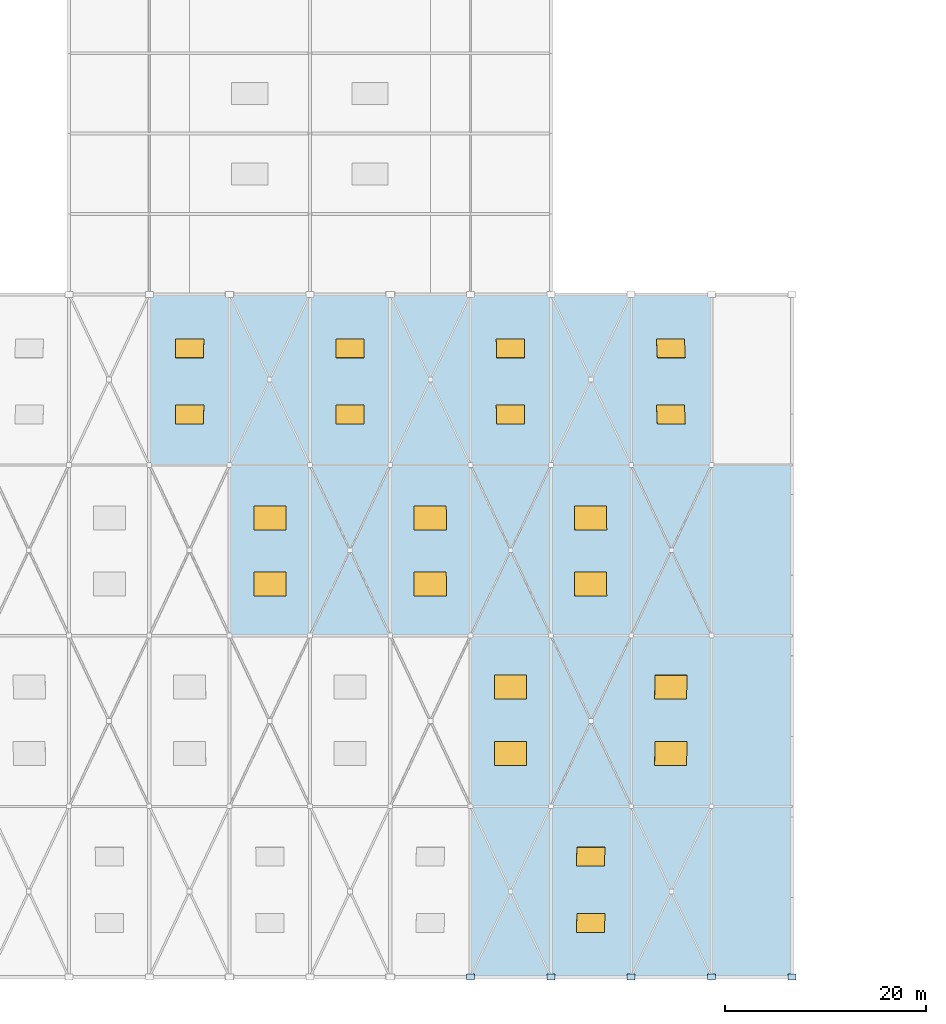
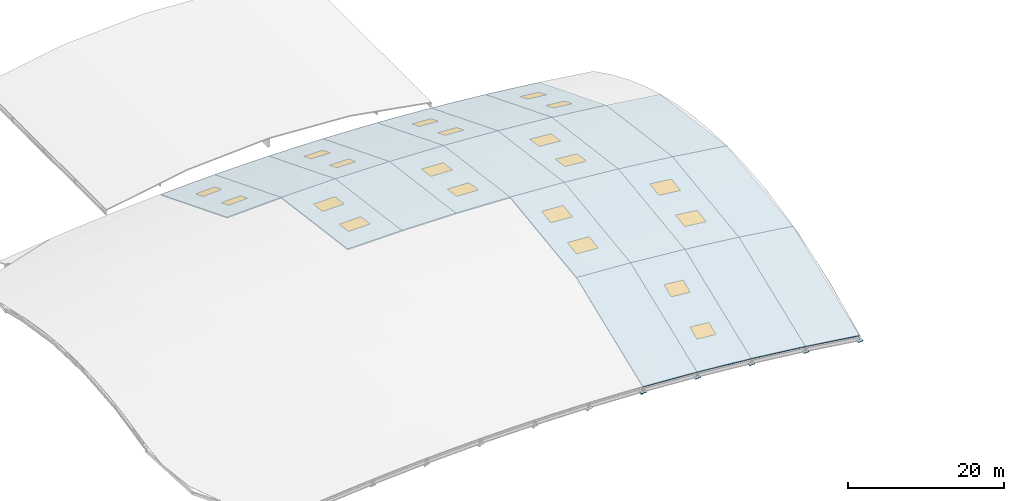
# One storey, part 6 of 11: 22 slabs, 20 windows, 5 plates, 20 openings.
"""IFC4 building model written with IfcOpenShell, lengths in metres."""

import ifcopenshell
import ifcopenshell.guid

model = None  # the IFC model being written
_history = None  # IfcOwnerHistory: only IFC2X3 demands one
_inside = {}  # id of a spatial element -> (the spatial element, [elements in it])
_under = {}  # id of a project, library or spatial element -> (it, [spatial elements below it])
_declared = {}  # id of a project -> (the project, [libraries it declares])
_typed = {}  # id of a type object -> (the type object, [elements of that type])
_made_of = {}  # id of a material, layer set ... -> (it, [elements and type objects made of it])


def new_model(schema):
    """Start an empty IFC model of exactly this schema.

    Asked for "IFC4X3", IfcOpenShell would pick the latest addendum, in which some entities
    have other attributes; the version numbers below select the first issue.
    IFC2X3 requires an IfcOwnerHistory on every rooted entity: one is made here for all.
    """
    global model, _history
    if schema == "IFC4X3":
        model = ifcopenshell.file(schema_version=(4, 3, 0, 0))
    else:
        model = ifcopenshell.file(schema=schema)
    _inside.clear()
    _under.clear()
    _declared.clear()
    _typed.clear()
    _made_of.clear()
    _history = None
    if model.schema == "IFC2X3":
        org = make("IfcOrganization", Name="unknown")
        user = make(
            "IfcPersonAndOrganization",
            ThePerson=make("IfcPerson", FamilyName="unknown"),
            TheOrganization=org,
        )
        app = make(
            "IfcApplication",
            ApplicationDeveloper=org,
            Version="unknown",
            ApplicationFullName="unknown",
            ApplicationIdentifier="unknown",
        )
        _history = make(
            "IfcOwnerHistory",
            OwningUser=user,
            OwningApplication=app,
            ChangeAction="ADDED",
            CreationDate=0,
        )
    return model


def make(cls, **values):
    """One entity of the class cls with the attributes given. An attribute that is None is left unset."""
    return model.create_entity(
        cls, **{name: value for name, value in values.items() if value is not None}
    )


def rooted(cls, **values):
    """An entity with a GlobalId (a new one), such as an element, a storey or a relation."""
    return make(cls, GlobalId=ifcopenshell.guid.new(), OwnerHistory=_history, **values)


def si_unit(unit_type, name, prefix=None):
    """IfcSIUnit, for example si_unit("LENGTHUNIT", "METRE", prefix="MILLI")."""
    return make("IfcSIUnit", UnitType=unit_type, Prefix=prefix, Name=name)


def assignment(units):
    """IfcUnitAssignment: the units of a project."""
    return None if units is None else make("IfcUnitAssignment", Units=units)


def point(xyz):
    """IfcCartesianPoint."""
    return None if xyz is None else make("IfcCartesianPoint", Coordinates=xyz)


def direction(xyz):
    """IfcDirection."""
    return None if xyz is None else make("IfcDirection", DirectionRatios=xyz)


def frame(location, z_axis=None, x_axis=None):
    """IfcAxis2Placement3D, a coordinate frame: its origin and axes. An axis left out is left unset."""
    return make(
        "IfcAxis2Placement3D",
        Location=point(location),
        Axis=direction(z_axis),
        RefDirection=direction(x_axis),
    )


def frame_2d(location, x_axis=None):
    """IfcAxis2Placement2D, a coordinate frame in the plane: its origin and x axis."""
    return make(
        "IfcAxis2Placement2D", Location=point(location), RefDirection=direction(x_axis)
    )


def origin():
    """The frame at (0, 0, 0) with its axes left unset."""
    return frame((0.0, 0.0, 0.0))


def origin_2d():
    """The frame at (0, 0) in the plane with its x axis left unset."""
    return frame_2d((0.0, 0.0))


def place(relative_to, where):
    """IfcLocalPlacement: puts the frame where relative to a parent placement (None: the world)."""
    return make(
        "IfcLocalPlacement", PlacementRelTo=relative_to, RelativePlacement=where
    )


def context(
    kind, dimensions, precision=None, world=None, true_north=None, identifier=None
):
    """IfcGeometricRepresentationContext, for example the 3D "Model" context."""
    return make(
        "IfcGeometricRepresentationContext",
        ContextIdentifier=identifier,
        ContextType=kind,
        CoordinateSpaceDimension=dimensions,
        Precision=precision,
        WorldCoordinateSystem=world,
        TrueNorth=true_north,
    )


def subcontext(parent, identifier, kind, view, scale=None):
    """IfcGeometricRepresentationSubContext, for example "Body" below "Model"."""
    return make(
        "IfcGeometricRepresentationSubContext",
        ContextIdentifier=identifier,
        ContextType=kind,
        ParentContext=parent,
        TargetScale=scale,
        TargetView=view,
    )


def project(units=None, contexts=None):
    """IfcProject with its units and contexts."""
    return rooted(
        "IfcProject",
        Name="project",
        RepresentationContexts=contexts,
        UnitsInContext=assignment(units),
    )


def spatial(cls, under=None, at=None, **own):
    """A site, building, storey or space (cls), placed at a placement, below another one or the project."""
    s = rooted(cls, ObjectPlacement=at, **own)
    if under is not None:
        _under.setdefault(under.id(), (under, []))[1].append(s)
    return s


def polyline(points):
    """IfcPolyline through the points."""
    return make("IfcPolyline", Points=[point(p) for p in points])


def profile(cls, at=None, kind="AREA", **sizes):
    """A parametric profile (cls). Its sizes go by their IFC names, for example OverallWidth=200.0."""
    return make(cls, ProfileType=kind, Position=at, **sizes)


def rectangle(**sizes):
    """IfcRectangleProfileDef."""
    return profile("IfcRectangleProfileDef", **sizes)


def outline(outer, holes=None, kind="AREA"):
    """IfcArbitraryClosedProfileDef: a profile drawn as a closed curve; with holes, ...WithVoids."""
    if holes is None:
        return make("IfcArbitraryClosedProfileDef", ProfileType=kind, OuterCurve=outer)
    return make(
        "IfcArbitraryProfileDefWithVoids",
        ProfileType=kind,
        OuterCurve=outer,
        InnerCurves=holes,
    )


def extrude(swept, where, along, depth):
    """IfcExtrudedAreaSolid: the profile swept, set in the frame where, extruded along a direction by depth."""
    return make(
        "IfcExtrudedAreaSolid",
        SweptArea=swept,
        Position=where,
        ExtrudedDirection=direction(along),
        Depth=depth,
    )


def shape(context_of_items, identifier, shape_type, items):
    """IfcShapeRepresentation: the items that make up one representation, for example the "Body"."""
    return make(
        "IfcShapeRepresentation",
        ContextOfItems=context_of_items,
        RepresentationIdentifier=identifier,
        RepresentationType=shape_type,
        Items=items,
    )


def material(Name=None, Category=None):
    """IfcMaterial."""
    return make("IfcMaterial", Name=Name, Category=Category)


def layer(
    of_material, thickness, ventilated=None, Name=None, Category=None, Priority=None
):
    """IfcMaterialLayer: one layer of a wall or slab, of a material (None: an air gap)."""
    return make(
        "IfcMaterialLayer",
        Material=of_material,
        LayerThickness=thickness,
        IsVentilated=ventilated,
        Name=Name,
        Category=Category,
        Priority=Priority,
    )


def layer_set(layers, Name=None):
    """IfcMaterialLayerSet."""
    return make("IfcMaterialLayerSet", MaterialLayers=layers, LayerSetName=Name)


def made_of(thing, what):
    """Note that an element or type object is made of a material, layer set ...; save() writes the relation."""
    if what is not None:
        _made_of.setdefault(what.id(), (what, []))[1].append(thing)
    return thing


def type_object(cls, material=None, **own):
    """A type object (cls), such as IfcWallType, which elements share."""
    return made_of(rooted(cls, **own), material)


def element(
    cls,
    number,
    at=None,
    inside=None,
    cuts=None,
    type_object=None,
    material=None,
    context=None,
    identifier="Body",
    shape_type=None,
    held_by="IfcProductDefinitionShape",
    body=None,
    shapes=None,
    **own,
):
    """One element of the class cls, such as IfcWall. Its Tag is "e" and its number.

    at: its placement. inside: the storey or other place that contains it. cuts: it is an
    opening in that element (IfcRelVoidsElement). A single representation is given by context,
    identifier, shape_type and body (its items); several are given by shapes. held_by: the class
    of the entity that holds the representations. save() writes the other relations.
    """
    e = rooted(cls, Tag="e%d" % number, ObjectPlacement=at, **own)
    if body is not None:
        shapes = [shape(context, identifier, shape_type, body)]
    if shapes is not None:
        e.Representation = make(held_by, Representations=shapes)
    if inside is not None:
        _inside.setdefault(inside.id(), (inside, []))[1].append(e)
    if cuts is not None:
        rooted(
            "IfcRelVoidsElement", RelatingBuildingElement=cuts, RelatedOpeningElement=e
        )
    if type_object is not None:
        _typed.setdefault(type_object.id(), (type_object, []))[1].append(e)
    return made_of(e, material)


def fill(opening, filler):
    """IfcRelFillsElement: the door or window that sits in an opening."""
    return rooted(
        "IfcRelFillsElement",
        RelatingOpeningElement=opening,
        RelatedBuildingElement=filler,
    )


def aggregate(whole, parts):
    """IfcRelAggregates: a whole, such as a stair, and the parts it consists of."""
    return rooted("IfcRelAggregates", RelatingObject=whole, RelatedObjects=parts)


def save(model, path):
    """Write the relations noted so far, then the file.

    IfcRelAggregates (storeys below a building ...), IfcRelContainedInSpatialStructure (elements
    in a storey), IfcRelDefinesByType, IfcRelAssociatesMaterial and IfcRelDeclares: one each for
    every whole, place, type object, material and project.
    """
    for whole, parts in _under.values():
        aggregate(whole, parts)
    for where, things in _inside.values():
        rooted(
            "IfcRelContainedInSpatialStructure",
            RelatedElements=things,
            RelatingStructure=where,
        )
    for kind, things in _typed.values():
        rooted("IfcRelDefinesByType", RelatedObjects=things, RelatingType=kind)
    for what, things in _made_of.values():
        rooted("IfcRelAssociatesMaterial", RelatedObjects=things, RelatingMaterial=what)
    for by, libraries in _declared.values():
        rooted("IfcRelDeclares", RelatingContext=by, RelatedDefinitions=libraries)
    model.write(path)


model = new_model("IFC4")

# Units and contexts
model_context = context("Model", 3, precision=1e-05, world=origin(), true_north=direction((0.0, 1.0)))
body_context = subcontext(model_context, "Body", "Model", "MODEL_VIEW")
ifc_project = project(units=[si_unit("LENGTHUNIT", "METRE"), si_unit("AREAUNIT", "SQUARE_METRE"), si_unit("VOLUMEUNIT", "CUBIC_METRE"), si_unit("PLANEANGLEUNIT", "RADIAN"), si_unit("MASSUNIT", "GRAM", prefix="KILO")], contexts=[model_context])

# Site, building, storey
site_placement = place(None, origin())
site = spatial("IfcSite", under=ifc_project, at=site_placement, CompositionType="ELEMENT")
building_placement = place(site_placement, origin())
building = spatial("IfcBuilding", under=site, at=building_placement, Name="Drelvana Railside Aquatics Centre", CompositionType="ELEMENT")
storey_placement = place(building_placement, frame((0.0, 0.0, 22.800048828125)))
storey = spatial("IfcBuildingStorey", under=building, at=storey_placement, Name="Roof", CompositionType="ELEMENT", Elevation=22.800048828125)

# Slab, openings, windows
ifc_material_1 = material(Name="Glulam timber GL28h", Category="wood")
ifc_layer_1 = layer(ifc_material_1, 0.14990234375, Name="Glulam timber GL28h")
ifc_layer_set_1 = layer_set([ifc_layer_1], Name="Glulam timber GL28h")
slab_type_1 = type_object("IfcSlabType", Name="SL-RF-150", PredefinedType="ROOF", material=ifc_layer_set_1)
slab_1_placement = place(storey_placement, frame((32.0, 67.0, 2.14990234375), z_axis=(-0.034837624674, 0.368808939643, 0.928852144287), x_axis=(0.999297387291, 0.0, 0.037479751251)))
slab_1 = element("IfcSlab", 1, at=slab_1_placement, inside=storey, type_object=slab_type_1, Name="Gridshell planar roof panel 5.4", PredefinedType="ROOF", context=body_context, shape_type="SweptSolid", body=[
    extrude(outline(polyline([(0.0, 0.0), (8.005624853767456, 0.0), (7.752636532825758, 18.289300066144335), (-0.2529883209416974, 18.289300066144335), (0.0, 0.0)])), origin(), (0.0, 0.0, -1.0), 0.14990234375),
])
opening_1_placement = place(slab_1_placement, frame((3.9443359375, 5.408935546875, 0.010009765625)))
opening_1 = element("IfcOpeningElement", 2, at=opening_1_placement, cuts=slab_1, Name="Opening SK-03", PredefinedType="OPENING", context=body_context, shape_type="SweptSolid", body=[
    extrude(rectangle(XDim=2.800048828125, YDim=2.0, at=origin_2d()), origin(), (0.0, 0.0, -1.0), 0.169921875),
])
opening_2_placement = place(slab_1_placement, frame((3.845947265625, 12.509765625, 0.010009765625)))
opening_2 = element("IfcOpeningElement", 3, at=opening_2_placement, cuts=slab_1, Name="Opening SK-03", PredefinedType="OPENING", context=body_context, shape_type="SweptSolid", body=[
    extrude(rectangle(XDim=2.800048828125, YDim=2.0, at=origin_2d()), origin(), (0.0, 0.0, -1.0), 0.169921875),
])
ifc_material_2 = material(Name="Laminated solar-control safety glass", Category="glass")
window_type_1 = type_object("IfcWindowType", Name="WIN-SK-03", PartitioningType="SINGLE_PANEL", PredefinedType="SKYLIGHT", material=ifc_material_2)
window_1_placement = place(slab_1_placement, frame((3.9443359375, 5.408935546875, 0.0)))
window_1 = element("IfcWindow", 4, at=window_1_placement, inside=storey, type_object=window_type_1, Name="Gridshell rooflight SK-GS-15", OverallHeight=2.0, OverallWidth=2.800048828125, PartitioningType="SINGLE_PANEL", PredefinedType="SKYLIGHT", context=body_context, shape_type="SweptSolid", body=[
    extrude(rectangle(XDim=2.800048828125, YDim=2.0, at=origin_2d()), origin(), (0.0, 0.0, -1.0), 0.06005859375),
])
fill(opening_1, window_1)
window_2_placement = place(slab_1_placement, frame((3.845947265625, 12.509765625, 0.0)))
window_2 = element("IfcWindow", 5, at=window_2_placement, inside=storey, type_object=window_type_1, Name="Gridshell rooflight SK-GS-16", OverallHeight=2.0, OverallWidth=2.800048828125, PartitioningType="SINGLE_PANEL", PredefinedType="SKYLIGHT", context=body_context, shape_type="SweptSolid", body=[
    extrude(rectangle(XDim=2.800048828125, YDim=2.0, at=origin_2d()), origin(), (0.0, 0.0, -1.0), 0.06005859375),
])
fill(opening_2, window_2)

# Slab
slab_2_placement = place(storey_placement, frame((40.0, 67.0, 2.449951171875), z_axis=(-0.011628263083, 0.369007997397, 0.929353474925), x_axis=(0.999921731527, 0.0, 0.01251122772)))
element("IfcSlab", 6, at=slab_2_placement, inside=storey, type_object=slab_type_1, Name="Gridshell planar roof panel 6.4", PredefinedType="ROOF", context=body_context, shape_type="SweptSolid", body=[
    extrude(outline(polyline([(0.0, 0.0), (8.00062619679152, 0.0), (7.916175409682074, 18.29085476582646), (-0.08445078710944635, 18.29085476582646), (0.0, 0.0)])), origin(), (0.0, 0.0, -1.0), 0.14990234375),
])

# Slab, openings, windows
slab_3_placement = place(storey_placement, frame((48.0, 67.0, 2.550048828125), z_axis=(0.011628263083, 0.369007997397, 0.929353474925), x_axis=(0.999921731527, 0.0, -0.01251122772)))
slab_3 = element("IfcSlab", 7, at=slab_3_placement, inside=storey, type_object=slab_type_1, Name="Gridshell planar roof panel 7.4", PredefinedType="ROOF", context=body_context, shape_type="SweptSolid", body=[
    extrude(outline(polyline([(0.0, 0.0), (8.00062619679152, 0.0), (8.085076983900967, 18.29085476582646), (0.08445078710944635, 18.29085476582646), (0.0, 0.0)])), origin(), (0.0, 0.0, -1.0), 0.14990234375),
])
opening_3_placement = place(slab_3_placement, frame((4.019775390625, 5.409423828125, 0.010009765625)))
opening_3 = element("IfcOpeningElement", 8, at=opening_3_placement, cuts=slab_3, Name="Opening SK-03", PredefinedType="OPENING", context=body_context, shape_type="SweptSolid", body=[
    extrude(rectangle(XDim=2.800048828125, YDim=2.0, at=origin_2d()), origin(), (0.0, 0.0, -1.0), 0.169921875),
])
opening_4_placement = place(slab_3_placement, frame((4.052734375, 12.510498046875, 0.010009765625)))
opening_4 = element("IfcOpeningElement", 9, at=opening_4_placement, cuts=slab_3, Name="Opening SK-03", PredefinedType="OPENING", context=body_context, shape_type="SweptSolid", body=[
    extrude(rectangle(XDim=2.800048828125, YDim=2.0, at=origin_2d()), origin(), (0.0, 0.0, -1.0), 0.169921875),
])
window_3_placement = place(slab_3_placement, frame((4.019775390625, 5.409423828125, 0.0)))
window_3 = element("IfcWindow", 10, at=window_3_placement, inside=storey, type_object=window_type_1, Name="Gridshell rooflight SK-GS-23", OverallHeight=2.0, OverallWidth=2.800048828125, PartitioningType="SINGLE_PANEL", PredefinedType="SKYLIGHT", context=body_context, shape_type="SweptSolid", body=[
    extrude(rectangle(XDim=2.800048828125, YDim=2.0, at=origin_2d()), origin(), (0.0, 0.0, -1.0), 0.06005859375),
])
fill(opening_3, window_3)
window_4_placement = place(slab_3_placement, frame((4.052734375, 12.510498046875, 0.0)))
window_4 = element("IfcWindow", 11, at=window_4_placement, inside=storey, type_object=window_type_1, Name="Gridshell rooflight SK-GS-24", OverallHeight=2.0, OverallWidth=2.800048828125, PartitioningType="SINGLE_PANEL", PredefinedType="SKYLIGHT", context=body_context, shape_type="SweptSolid", body=[
    extrude(rectangle(XDim=2.800048828125, YDim=2.0, at=origin_2d()), origin(), (0.0, 0.0, -1.0), 0.06005859375),
])
fill(opening_4, window_4)

# Slabs
slab_4_placement = place(storey_placement, frame((56.0, 67.0, 2.449951171875), z_axis=(0.034837624674, 0.368808939643, 0.928852144287), x_axis=(0.999297387291, 0.0, -0.037479751251)))
element("IfcSlab", 12, at=slab_4_placement, inside=storey, type_object=slab_type_1, Name="Gridshell planar roof panel 8.4", PredefinedType="ROOF", context=body_context, shape_type="SweptSolid", body=[
    extrude(outline(polyline([(0.0, 0.0), (8.005624853767456, 0.0), (8.258613174709152, 18.289300066144335), (0.2529883209416974, 18.289300066144335), (0.0, 0.0)])), origin(), (0.0, 0.0, -1.0), 0.14990234375),
])
slab_5_placement = place(storey_placement, frame((64.0, 16.0, -4.60009765625), z_axis=(0.057990763549, -0.368411909608, 0.92785221679), x_axis=(0.998052578483, 0.0, -0.062378286155)))
element("IfcSlab", 13, at=slab_5_placement, inside=storey, type_object=slab_type_1, Name="Gridshell planar roof panel 9.1", PredefinedType="ROOF", context=body_context, shape_type="SweptSolid", body=[
    extrude(outline(polyline([(0.0, 0.0), (8.0156097709407, 0.0), (7.594556339393231, 18.286202831856105), (-0.42105343154746866, 18.2862028318561), (0.0, 0.0)])), origin(), (0.0, 0.0, -1.0), 0.14990234375),
])

# Slab, openings, windows
slab_6_placement = place(storey_placement, frame((64.0, 67.0, 2.14990234375), z_axis=(0.057990763549, 0.368411909608, 0.92785221679), x_axis=(0.998052578483, 0.0, -0.062378286155)))
slab_6 = element("IfcSlab", 14, at=slab_6_placement, inside=storey, type_object=slab_type_1, Name="Gridshell planar roof panel 9.4", PredefinedType="ROOF", context=body_context, shape_type="SweptSolid", body=[
    extrude(outline(polyline([(0.0, 0.0), (8.0156097709407, 0.0), (8.436663202488168, 18.2862028318561), (0.42105343154746866, 18.2862028318561), (0.0, 0.0)])), origin(), (0.0, 0.0, -1.0), 0.14990234375),
])
opening_5_placement = place(slab_6_placement, frame((4.105224609375, 5.408447265625, 0.010009765625)))
opening_5 = element("IfcOpeningElement", 15, at=opening_5_placement, cuts=slab_6, Name="Opening SK-03", PredefinedType="OPENING", context=body_context, shape_type="SweptSolid", body=[
    extrude(rectangle(XDim=2.800048828125, YDim=2.0, at=origin_2d()), origin(), (0.0, 0.0, -1.0), 0.169921875),
])
opening_6_placement = place(slab_6_placement, frame((4.268798828125, 12.508056640625, 0.010009765625)))
opening_6 = element("IfcOpeningElement", 16, at=opening_6_placement, cuts=slab_6, Name="Opening SK-03", PredefinedType="OPENING", context=body_context, shape_type="SweptSolid", body=[
    extrude(rectangle(XDim=2.800048828125, YDim=2.0, at=origin_2d()), origin(), (0.0, 0.0, -1.0), 0.169921875),
])
window_5_placement = place(slab_6_placement, frame((4.105224609375, 5.408447265625, 0.0)))
window_5 = element("IfcWindow", 17, at=window_5_placement, inside=storey, type_object=window_type_1, Name="Gridshell rooflight SK-GS-31", OverallHeight=2.0, OverallWidth=2.800048828125, PartitioningType="SINGLE_PANEL", PredefinedType="SKYLIGHT", context=body_context, shape_type="SweptSolid", body=[
    extrude(rectangle(XDim=2.800048828125, YDim=2.0, at=origin_2d()), origin(), (0.0, 0.0, -1.0), 0.06005859375),
])
fill(opening_5, window_5)
window_6_placement = place(slab_6_placement, frame((4.268798828125, 12.508056640625, 0.0)))
window_6 = element("IfcWindow", 18, at=window_6_placement, inside=storey, type_object=window_type_1, Name="Gridshell rooflight SK-GS-32", OverallHeight=2.0, OverallWidth=2.800048828125, PartitioningType="SINGLE_PANEL", PredefinedType="SKYLIGHT", context=body_context, shape_type="SweptSolid", body=[
    extrude(rectangle(XDim=2.800048828125, YDim=2.0, at=origin_2d()), origin(), (0.0, 0.0, -1.0), 0.06005859375),
])
fill(opening_6, window_6)

slab_7_placement = place(storey_placement, frame((72.0, 16.0, -5.10009765625), z_axis=(0.081050715906, -0.367818821618, 0.926358513705), x_axis=(0.996194245461, 0.0, -0.087160916191)))
slab_7 = element("IfcSlab", 19, at=slab_7_placement, inside=storey, type_object=slab_type_1, Name="Gridshell planar roof panel 10.1", PredefinedType="ROOF", context=body_context, shape_type="SweptSolid", body=[
    extrude(outline(polyline([(0.0, 0.0), (8.030562349114113, 0.0), (7.442226164827163, 18.28158528504185), (-0.5883361842869509, 18.28158528504185), (0.0, 0.0)])), origin(), (0.0, 0.0, -1.0), 0.14990234375),
])
opening_7_placement = place(slab_7_placement, frame((3.79150390625, 5.776123046875, 0.010009765625)))
opening_7 = element("IfcOpeningElement", 20, at=opening_7_placement, cuts=slab_7, Name="Opening SK-03", PredefinedType="OPENING", context=body_context, shape_type="SweptSolid", body=[
    extrude(rectangle(XDim=2.800048828125, YDim=2.0, at=origin_2d()), origin(), (0.0, 0.0, -1.0), 0.169921875),
])
opening_8_placement = place(slab_7_placement, frame((3.56298828125, 12.873779296875, 0.010009765625)))
opening_8 = element("IfcOpeningElement", 21, at=opening_8_placement, cuts=slab_7, Name="Opening SK-03", PredefinedType="OPENING", context=body_context, shape_type="SweptSolid", body=[
    extrude(rectangle(XDim=2.800048828125, YDim=2.0, at=origin_2d()), origin(), (0.0, 0.0, -1.0), 0.169921875),
])
window_7_placement = place(slab_7_placement, frame((3.79150390625, 5.776123046875, 0.0)))
window_7 = element("IfcWindow", 22, at=window_7_placement, inside=storey, type_object=window_type_1, Name="Gridshell rooflight SK-GS-33", OverallHeight=2.0, OverallWidth=2.800048828125, PartitioningType="SINGLE_PANEL", PredefinedType="SKYLIGHT", context=body_context, shape_type="SweptSolid", body=[
    extrude(rectangle(XDim=2.800048828125, YDim=2.0, at=origin_2d()), origin(), (0.0, 0.0, -1.0), 0.06005859375),
])
fill(opening_7, window_7)
window_8_placement = place(slab_7_placement, frame((3.56298828125, 12.873779296875, 0.0)))
window_8 = element("IfcWindow", 23, at=window_8_placement, inside=storey, type_object=window_type_1, Name="Gridshell rooflight SK-GS-34", OverallHeight=2.0, OverallWidth=2.800048828125, PartitioningType="SINGLE_PANEL", PredefinedType="SKYLIGHT", context=body_context, shape_type="SweptSolid", body=[
    extrude(rectangle(XDim=2.800048828125, YDim=2.0, at=origin_2d()), origin(), (0.0, 0.0, -1.0), 0.06005859375),
])
fill(opening_8, window_8)

# Slabs
slab_8_placement = place(storey_placement, frame((72.0, 67.0, 1.64990234375), z_axis=(0.081050715906, 0.367818821618, 0.926358513705), x_axis=(0.996194245461, 0.0, -0.087160916191)))
element("IfcSlab", 24, at=slab_8_placement, inside=storey, type_object=slab_type_1, Name="Gridshell planar roof panel 10.4", PredefinedType="ROOF", context=body_context, shape_type="SweptSolid", body=[
    extrude(outline(polyline([(0.0, 0.0), (8.030562349114113, 0.0), (8.618898533401065, 18.28158528504185), (0.5883361842869509, 18.28158528504185), (0.0, 0.0)])), origin(), (0.0, 0.0, -1.0), 0.14990234375),
])
slab_9_placement = place(storey_placement, frame((80.0, 16.0, -5.800048828125), z_axis=(0.103981261976, -0.367032514903, 0.924378185681), x_axis=(0.993732663715, 0.0, -0.111782794142)))
element("IfcSlab", 25, at=slab_9_placement, inside=storey, type_object=slab_type_1, Name="Gridshell planar roof panel 11.1", PredefinedType="ROOF", context=body_context, shape_type="SweptSolid", body=[
    extrude(outline(polyline([(0.0, 0.0), (8.050454908158095, 5.551115123125783e-17), (7.295921047697992, 18.27548025780497), (-0.7545338604601017, 18.27548025780497), (0.0, 0.0)])), origin(), (0.0, 0.0, -1.0), 0.14990234375),
])

# Slab, openings, windows
slab_10_placement = place(storey_placement, frame((80.0, 67.0, 0.949951171875), z_axis=(0.103981261976, 0.367032514903, 0.924378185681), x_axis=(0.993732663715, 0.0, -0.111782794142)))
slab_10 = element("IfcSlab", 26, at=slab_10_placement, inside=storey, type_object=slab_type_1, Name="Gridshell planar roof panel 11.4", PredefinedType="ROOF", context=body_context, shape_type="SweptSolid", body=[
    extrude(outline(polyline([(0.0, 0.0), (8.050454908158095, -5.551115123125783e-17), (8.804988768618196, 18.27548025780497), (0.7545338604601017, 18.27548025780497), (0.0, 0.0)])), origin(), (0.0, 0.0, -1.0), 0.14990234375),
])
opening_9_placement = place(slab_10_placement, frame((4.199951171875, 5.40673828125, 0.010009765625)))
opening_9 = element("IfcOpeningElement", 27, at=opening_9_placement, cuts=slab_10, Name="Opening SK-03", PredefinedType="OPENING", context=body_context, shape_type="SweptSolid", body=[
    extrude(rectangle(XDim=2.800048828125, YDim=2.0, at=origin_2d()), origin(), (0.0, 0.0, -1.0), 0.169921875),
])
opening_10_placement = place(slab_10_placement, frame((4.49267578125, 12.501953125, 0.010009765625)))
opening_10 = element("IfcOpeningElement", 28, at=opening_10_placement, cuts=slab_10, Name="Opening SK-03", PredefinedType="OPENING", context=body_context, shape_type="SweptSolid", body=[
    extrude(rectangle(XDim=2.800048828125, YDim=2.0, at=origin_2d()), origin(), (0.0, 0.0, -1.0), 0.169921875),
])
window_9_placement = place(slab_10_placement, frame((4.199951171875, 5.40673828125, 0.0)))
window_9 = element("IfcWindow", 29, at=window_9_placement, inside=storey, type_object=window_type_1, Name="Gridshell rooflight SK-GS-39", OverallHeight=2.0, OverallWidth=2.800048828125, PartitioningType="SINGLE_PANEL", PredefinedType="SKYLIGHT", context=body_context, shape_type="SweptSolid", body=[
    extrude(rectangle(XDim=2.800048828125, YDim=2.0, at=origin_2d()), origin(), (0.0, 0.0, -1.0), 0.06005859375),
])
fill(opening_9, window_9)
window_10_placement = place(slab_10_placement, frame((4.49267578125, 12.501953125, 0.0)))
window_10 = element("IfcWindow", 30, at=window_10_placement, inside=storey, type_object=window_type_1, Name="Gridshell rooflight SK-GS-40", OverallHeight=2.0, OverallWidth=2.800048828125, PartitioningType="SINGLE_PANEL", PredefinedType="SKYLIGHT", context=body_context, shape_type="SweptSolid", body=[
    extrude(rectangle(XDim=2.800048828125, YDim=2.0, at=origin_2d()), origin(), (0.0, 0.0, -1.0), 0.06005859375),
])
fill(opening_10, window_10)

# Slab
slab_11_placement = place(storey_placement, frame((88.0, 16.0, -6.699951171875), z_axis=(0.126774886826, -0.366055410665, 0.921917330563), x_axis=(0.99067720781, 0.0, -0.136230209301)))
element("IfcSlab", 31, at=slab_11_placement, inside=storey, type_object=slab_type_1, Name="Gridshell planar roof panel 12.1", PredefinedType="ROOF", context=body_context, shape_type="SweptSolid", body=[
    extrude(outline(polyline([(0.0, 0.0), (8.075284196440814, 0.0), (7.155730283655878, 18.26792053304048), (-0.9195539127849354, 18.26792053304048), (0.0, 0.0)])), origin(), (0.0, 0.0, -1.0), 0.14990234375),
])

# Slab, openings, windows
ifc_layer_2 = layer(ifc_material_1, 0.175048828125, Name="Glulam timber GL28h")
ifc_layer_set_2 = layer_set([ifc_layer_2], Name="Glulam timber GL28h")
slab_type_2 = type_object("IfcSlabType", Name="SL-RF-175", PredefinedType="ROOF", material=ifc_layer_set_2)
slab_12_placement = place(storey_placement, frame((40.0, 50.0, 4.699951171875), z_axis=(-0.01240308194, 0.131198626299, 0.991278509812), x_axis=(0.999921731527, 0.0, 0.01251122772)))
slab_12 = element("IfcSlab", 32, at=slab_12_placement, inside=storey, type_object=slab_type_2, Name="Gridshell planar roof panel 6.3", PredefinedType="ROOF", context=body_context, shape_type="SweptSolid", body=[
    extrude(outline(polyline([(0.0, 0.0), (8.00062619679152, 0.0), (7.972475934421705, 17.148227534142663), (-0.028150262369815448, 17.148227534142663), (0.0, 0.0)])), origin(), (0.0, 0.0, -1.0), 0.175048828125),
])
opening_11_placement = place(slab_12_placement, frame((3.998046875, 5.179443359375, 0.010009765625)))
opening_11 = element("IfcOpeningElement", 33, at=opening_11_placement, cuts=slab_12, Name="Opening SK-02", PredefinedType="OPENING", context=body_context, shape_type="SweptSolid", body=[
    extrude(rectangle(XDim=3.199951171875, YDim=2.39990234375, at=origin_2d()), origin(), (0.0, 0.0, -1.0), 0.195068359375),
])
opening_12_placement = place(slab_12_placement, frame((3.987060546875, 11.8369140625, 0.010009765625)))
opening_12 = element("IfcOpeningElement", 34, at=opening_12_placement, cuts=slab_12, Name="Opening SK-02", PredefinedType="OPENING", context=body_context, shape_type="SweptSolid", body=[
    extrude(rectangle(XDim=3.199951171875, YDim=2.39990234375, at=origin_2d()), origin(), (0.0, 0.0, -1.0), 0.195068359375),
])
window_type_2 = type_object("IfcWindowType", Name="WIN-SK-02", PartitioningType="SINGLE_PANEL", PredefinedType="SKYLIGHT", material=ifc_material_2)
window_11_placement = place(slab_12_placement, frame((3.998046875, 5.179443359375, 0.0)))
window_11 = element("IfcWindow", 35, at=window_11_placement, inside=storey, type_object=window_type_2, Name="Gridshell rooflight SK-GS-19", OverallHeight=2.39990234375, OverallWidth=3.199951171875, PartitioningType="SINGLE_PANEL", PredefinedType="SKYLIGHT", context=body_context, shape_type="SweptSolid", body=[
    extrude(rectangle(XDim=3.199951171875, YDim=2.39990234375, at=origin_2d()), origin(), (0.0, 0.0, -1.0), 0.06005859375),
])
fill(opening_11, window_11)
window_12_placement = place(slab_12_placement, frame((3.987060546875, 11.8369140625, 0.0)))
window_12 = element("IfcWindow", 36, at=window_12_placement, inside=storey, type_object=window_type_2, Name="Gridshell rooflight SK-GS-20", OverallHeight=2.39990234375, OverallWidth=3.199951171875, PartitioningType="SINGLE_PANEL", PredefinedType="SKYLIGHT", context=body_context, shape_type="SweptSolid", body=[
    extrude(rectangle(XDim=3.199951171875, YDim=2.39990234375, at=origin_2d()), origin(), (0.0, 0.0, -1.0), 0.06005859375),
])
fill(opening_12, window_12)

# Slab
slab_13_placement = place(storey_placement, frame((48.0, 50.0, 4.800048828125), z_axis=(0.01240308194, 0.131198626299, 0.991278509812), x_axis=(0.999921731527, 0.0, -0.01251122772)))
element("IfcSlab", 37, at=slab_13_placement, inside=storey, type_object=slab_type_2, Name="Gridshell planar roof panel 7.3", PredefinedType="ROOF", context=body_context, shape_type="SweptSolid", body=[
    extrude(outline(polyline([(0.0, 0.0), (8.00062619679152, 0.0), (8.028776459161335, 17.148227534142663), (0.028150262369815448, 17.148227534142663), (0.0, 0.0)])), origin(), (0.0, 0.0, -1.0), 0.175048828125),
])

# Slab, openings, windows
slab_14_placement = place(storey_placement, frame((56.0, 50.0, 4.699951171875), z_axis=(0.037156179316, 0.13111811557, 0.990670206531), x_axis=(0.999297387291, 0.0, -0.037479751251)))
slab_14 = element("IfcSlab", 38, at=slab_14_placement, inside=storey, type_object=slab_type_2, Name="Gridshell planar roof panel 8.3", PredefinedType="ROOF", context=body_context, shape_type="SweptSolid", body=[
    extrude(outline(polyline([(0.0, 0.0), (8.005624853767456, 0.0), (8.089954294081354, 17.14804328620313), (0.08432944031389913, 17.148043286203134), (0.0, 0.0)])), origin(), (0.0, 0.0, -1.0), 0.175048828125),
])
opening_13_placement = place(slab_14_placement, frame((4.009765625, 5.179443359375, 0.010009765625)))
opening_13 = element("IfcOpeningElement", 39, at=opening_13_placement, cuts=slab_14, Name="Opening SK-02", PredefinedType="OPENING", context=body_context, shape_type="SweptSolid", body=[
    extrude(rectangle(XDim=3.199951171875, YDim=2.39990234375, at=origin_2d()), origin(), (0.0, 0.0, -1.0), 0.195068359375),
])
opening_14_placement = place(slab_14_placement, frame((4.04248046875, 11.8369140625, 0.010009765625)))
opening_14 = element("IfcOpeningElement", 40, at=opening_14_placement, cuts=slab_14, Name="Opening SK-02", PredefinedType="OPENING", context=body_context, shape_type="SweptSolid", body=[
    extrude(rectangle(XDim=3.199951171875, YDim=2.39990234375, at=origin_2d()), origin(), (0.0, 0.0, -1.0), 0.195068359375),
])
window_13_placement = place(slab_14_placement, frame((4.009765625, 5.179443359375, 0.0)))
window_13 = element("IfcWindow", 41, at=window_13_placement, inside=storey, type_object=window_type_2, Name="Gridshell rooflight SK-GS-27", OverallHeight=2.39990234375, OverallWidth=3.199951171875, PartitioningType="SINGLE_PANEL", PredefinedType="SKYLIGHT", context=body_context, shape_type="SweptSolid", body=[
    extrude(rectangle(XDim=3.199951171875, YDim=2.39990234375, at=origin_2d()), origin(), (0.0, 0.0, -1.0), 0.06005859375),
])
fill(opening_13, window_13)
window_14_placement = place(slab_14_placement, frame((4.04248046875, 11.8369140625, 0.0)))
window_14 = element("IfcWindow", 42, at=window_14_placement, inside=storey, type_object=window_type_2, Name="Gridshell rooflight SK-GS-28", OverallHeight=2.39990234375, OverallWidth=3.199951171875, PartitioningType="SINGLE_PANEL", PredefinedType="SKYLIGHT", context=body_context, shape_type="SweptSolid", body=[
    extrude(rectangle(XDim=3.199951171875, YDim=2.39990234375, at=origin_2d()), origin(), (0.0, 0.0, -1.0), 0.06005859375),
])
fill(opening_14, window_14)

slab_15_placement = place(storey_placement, frame((64.0, 33.0, 2.14990234375), z_axis=(0.061841082592, -0.130957586664, 0.989457321464), x_axis=(0.998052578483, 0.0, -0.062378286155)))
slab_15 = element("IfcSlab", 43, at=slab_15_placement, inside=storey, type_object=slab_type_2, Name="Gridshell planar roof panel 9.2", PredefinedType="ROOF", context=body_context, shape_type="SweptSolid", body=[
    extrude(outline(polyline([(0.0, 0.0), (8.0156097709407, 0.0), (7.875258627091543, 17.147676272790438), (-0.1403511438491562, 17.147676272790438), (0.0, 0.0)])), origin(), (0.0, 0.0, -1.0), 0.175048828125),
])
opening_15_placement = place(slab_15_placement, frame((3.93359375, 5.310791015625, 0.010009765625)))
opening_15 = element("IfcOpeningElement", 44, at=opening_15_placement, cuts=slab_15, Name="Opening SK-02", PredefinedType="OPENING", context=body_context, shape_type="SweptSolid", body=[
    extrude(rectangle(XDim=3.199951171875, YDim=2.39990234375, at=origin_2d()), origin(), (0.0, 0.0, -1.0), 0.195068359375),
])
opening_16_placement = place(slab_15_placement, frame((3.87890625, 11.96826171875, 0.010009765625)))
opening_16 = element("IfcOpeningElement", 45, at=opening_16_placement, cuts=slab_15, Name="Opening SK-02", PredefinedType="OPENING", context=body_context, shape_type="SweptSolid", body=[
    extrude(rectangle(XDim=3.199951171875, YDim=2.39990234375, at=origin_2d()), origin(), (0.0, 0.0, -1.0), 0.195068359375),
])
window_15_placement = place(slab_15_placement, frame((3.93359375, 5.310791015625, 0.0)))
window_15 = element("IfcWindow", 46, at=window_15_placement, inside=storey, type_object=window_type_2, Name="Gridshell rooflight SK-GS-29", OverallHeight=2.39990234375, OverallWidth=3.199951171875, PartitioningType="SINGLE_PANEL", PredefinedType="SKYLIGHT", context=body_context, shape_type="SweptSolid", body=[
    extrude(rectangle(XDim=3.199951171875, YDim=2.39990234375, at=origin_2d()), origin(), (0.0, 0.0, -1.0), 0.06005859375),
])
fill(opening_15, window_15)
window_16_placement = place(slab_15_placement, frame((3.87890625, 11.96826171875, 0.0)))
window_16 = element("IfcWindow", 47, at=window_16_placement, inside=storey, type_object=window_type_2, Name="Gridshell rooflight SK-GS-30", OverallHeight=2.39990234375, OverallWidth=3.199951171875, PartitioningType="SINGLE_PANEL", PredefinedType="SKYLIGHT", context=body_context, shape_type="SweptSolid", body=[
    extrude(rectangle(XDim=3.199951171875, YDim=2.39990234375, at=origin_2d()), origin(), (0.0, 0.0, -1.0), 0.06005859375),
])
fill(opening_16, window_16)

# Slabs
slab_16_placement = place(storey_placement, frame((64.0, 50.0, 4.39990234375), z_axis=(0.061841082592, 0.130957586664, 0.989457321464), x_axis=(0.998052578483, 0.0, -0.062378286155)))
element("IfcSlab", 48, at=slab_16_placement, inside=storey, type_object=slab_type_2, Name="Gridshell planar roof panel 9.3", PredefinedType="ROOF", context=body_context, shape_type="SweptSolid", body=[
    extrude(outline(polyline([(0.0, 0.0), (8.0156097709407, 0.0), (8.155960914789855, 17.147676272790438), (0.1403511438491562, 17.147676272790438), (0.0, 0.0)])), origin(), (0.0, 0.0, -1.0), 0.175048828125),
])
slab_17_placement = place(storey_placement, frame((72.0, 33.0, 1.64990234375), z_axis=(0.086413040767, -0.130717919318, 0.987646501515), x_axis=(0.996194245461, 0.0, -0.087160916191)))
element("IfcSlab", 49, at=slab_17_placement, inside=storey, type_object=slab_type_2, Name="Gridshell planar roof panel 10.2", PredefinedType="ROOF", context=body_context, shape_type="SweptSolid", body=[
    extrude(outline(polyline([(0.0, 0.0), (8.030562349114113, 0.0), (7.83445028768513, 17.14712920751932), (-0.19611206142898363, 17.14712920751932), (0.0, 0.0)])), origin(), (0.0, 0.0, -1.0), 0.175048828125),
])

# Slab, openings, windows
slab_18_placement = place(storey_placement, frame((72.0, 50.0, 3.89990234375), z_axis=(0.086413040767, 0.130717919318, 0.987646501515), x_axis=(0.996194245461, 0.0, -0.087160916191)))
slab_18 = element("IfcSlab", 50, at=slab_18_placement, inside=storey, type_object=slab_type_2, Name="Gridshell planar roof panel 10.3", PredefinedType="ROOF", context=body_context, shape_type="SweptSolid", body=[
    extrude(outline(polyline([(0.0, 0.0), (8.030562349114113, 0.0), (8.226674410543097, 17.14712920751932), (0.19611206142898363, 17.14712920751932), (0.0, 0.0)])), origin(), (0.0, 0.0, -1.0), 0.175048828125),
])
opening_17_placement = place(slab_18_placement, frame((4.031494140625, 5.179443359375, 0.010009765625)))
opening_17 = element("IfcOpeningElement", 51, at=opening_17_placement, cuts=slab_18, Name="Opening SK-02", PredefinedType="OPENING", context=body_context, shape_type="SweptSolid", body=[
    extrude(rectangle(XDim=3.199951171875, YDim=2.39990234375, at=origin_2d()), origin(), (0.0, 0.0, -1.0), 0.195068359375),
])
opening_18_placement = place(slab_18_placement, frame((4.107666015625, 11.836669921875, 0.010009765625)))
opening_18 = element("IfcOpeningElement", 52, at=opening_18_placement, cuts=slab_18, Name="Opening SK-02", PredefinedType="OPENING", context=body_context, shape_type="SweptSolid", body=[
    extrude(rectangle(XDim=3.199951171875, YDim=2.39990234375, at=origin_2d()), origin(), (0.0, 0.0, -1.0), 0.195068359375),
])
window_17_placement = place(slab_18_placement, frame((4.031494140625, 5.179443359375, 0.0)))
window_17 = element("IfcWindow", 53, at=window_17_placement, inside=storey, type_object=window_type_2, Name="Gridshell rooflight SK-GS-35", OverallHeight=2.39990234375, OverallWidth=3.199951171875, PartitioningType="SINGLE_PANEL", PredefinedType="SKYLIGHT", context=body_context, shape_type="SweptSolid", body=[
    extrude(rectangle(XDim=3.199951171875, YDim=2.39990234375, at=origin_2d()), origin(), (0.0, 0.0, -1.0), 0.06005859375),
])
fill(opening_17, window_17)
window_18_placement = place(slab_18_placement, frame((4.107666015625, 11.836669921875, 0.0)))
window_18 = element("IfcWindow", 54, at=window_18_placement, inside=storey, type_object=window_type_2, Name="Gridshell rooflight SK-GS-36", OverallHeight=2.39990234375, OverallWidth=3.199951171875, PartitioningType="SINGLE_PANEL", PredefinedType="SKYLIGHT", context=body_context, shape_type="SweptSolid", body=[
    extrude(rectangle(XDim=3.199951171875, YDim=2.39990234375, at=origin_2d()), origin(), (0.0, 0.0, -1.0), 0.06005859375),
])
fill(opening_18, window_18)

slab_19_placement = place(storey_placement, frame((80.0, 33.0, 0.949951171875), z_axis=(0.110828326914, -0.130400416309, 0.985247589888), x_axis=(0.993732663715, 0.0, -0.111782794142)))
slab_19 = element("IfcSlab", 55, at=slab_19_placement, inside=storey, type_object=slab_type_2, Name="Gridshell planar roof panel 11.2", PredefinedType="ROOF", context=body_context, shape_type="SweptSolid", body=[
    extrude(outline(polyline([(0.0, 0.0), (8.050454908158095, 1.3877787807814457e-17), (7.7989436213380605, 17.146406097856254), (-0.2515112868200339, 17.146406097856257), (0.0, 0.0)])), origin(), (0.0, 0.0, -1.0), 0.175048828125),
])
opening_19_placement = place(slab_19_placement, frame((3.89208984375, 5.309814453125, 0.010009765625)))
opening_19 = element("IfcOpeningElement", 56, at=opening_19_placement, cuts=slab_19, Name="Opening SK-02", PredefinedType="OPENING", context=body_context, shape_type="SweptSolid", body=[
    extrude(rectangle(XDim=3.199951171875, YDim=2.39990234375, at=origin_2d()), origin(), (0.0, 0.0, -1.0), 0.195068359375),
])
opening_20_placement = place(slab_19_placement, frame((3.79443359375, 11.966796875, 0.010009765625)))
opening_20 = element("IfcOpeningElement", 57, at=opening_20_placement, cuts=slab_19, Name="Opening SK-02", PredefinedType="OPENING", context=body_context, shape_type="SweptSolid", body=[
    extrude(rectangle(XDim=3.199951171875, YDim=2.39990234375, at=origin_2d()), origin(), (0.0, 0.0, -1.0), 0.195068359375),
])
window_19_placement = place(slab_19_placement, frame((3.89208984375, 5.309814453125, 0.0)))
window_19 = element("IfcWindow", 58, at=window_19_placement, inside=storey, type_object=window_type_2, Name="Gridshell rooflight SK-GS-37", OverallHeight=2.39990234375, OverallWidth=3.199951171875, PartitioningType="SINGLE_PANEL", PredefinedType="SKYLIGHT", context=body_context, shape_type="SweptSolid", body=[
    extrude(rectangle(XDim=3.199951171875, YDim=2.39990234375, at=origin_2d()), origin(), (0.0, 0.0, -1.0), 0.06005859375),
])
fill(opening_19, window_19)
window_20_placement = place(slab_19_placement, frame((3.79443359375, 11.966796875, 0.0)))
window_20 = element("IfcWindow", 59, at=window_20_placement, inside=storey, type_object=window_type_2, Name="Gridshell rooflight SK-GS-38", OverallHeight=2.39990234375, OverallWidth=3.199951171875, PartitioningType="SINGLE_PANEL", PredefinedType="SKYLIGHT", context=body_context, shape_type="SweptSolid", body=[
    extrude(rectangle(XDim=3.199951171875, YDim=2.39990234375, at=origin_2d()), origin(), (0.0, 0.0, -1.0), 0.06005859375),
])
fill(opening_20, window_20)

# Slabs
slab_20_placement = place(storey_placement, frame((80.0, 50.0, 3.199951171875), z_axis=(0.110828326914, 0.130400416309, 0.985247589888), x_axis=(0.993732663715, 0.0, -0.111782794142)))
element("IfcSlab", 60, at=slab_20_placement, inside=storey, type_object=slab_type_2, Name="Gridshell planar roof panel 11.3", PredefinedType="ROOF", context=body_context, shape_type="SweptSolid", body=[
    extrude(outline(polyline([(0.0, 0.0), (8.050454908158095, -1.3877787807814457e-17), (8.301966194978128, 17.146406097856257), (0.2515112868200339, 17.146406097856257), (0.0, 0.0)])), origin(), (0.0, 0.0, -1.0), 0.175048828125),
])
slab_21_placement = place(storey_placement, frame((88.0, 33.0, 0.050048828125), z_axis=(0.135074047134, -0.130006257632, 0.982269502106), x_axis=(0.99067720781, 0.0, -0.136230209301)))
element("IfcSlab", 61, at=slab_21_placement, inside=storey, type_object=slab_type_2, Name="Gridshell planar roof panel 12.2", PredefinedType="ROOF", context=body_context, shape_type="SweptSolid", body=[
    extrude(outline(polyline([(0.0, 0.0), (8.075284196440814, 2.7755575615628914e-17), (7.768766225512501, 17.14551097907257), (-0.3065179709283118, 17.145510979072572), (0.0, 0.0)])), origin(), (0.0, 0.0, -1.0), 0.175048828125),
])
slab_22_placement = place(storey_placement, frame((88.0, 50.0, 2.300048828125), z_axis=(0.135074047134, 0.130006257632, 0.982269502106), x_axis=(0.99067720781, 0.0, -0.136230209301)))
element("IfcSlab", 62, at=slab_22_placement, inside=storey, type_object=slab_type_2, Name="Gridshell planar roof panel 12.3", PredefinedType="ROOF", context=body_context, shape_type="SweptSolid", body=[
    extrude(outline(polyline([(0.0, 0.0), (8.075284196440814, -2.7755575615628914e-17), (8.381802167369125, 17.145510979072572), (0.3065179709283118, 17.145510979072572), (0.0, 0.0)])), origin(), (0.0, 0.0, -1.0), 0.175048828125),
])

# Plates
ifc_material_3 = material(Name="Structural steel S355", Category="steel")
ifc_layer_3 = layer(ifc_material_3, 0.044921875, Name="Structural steel S355")
ifc_layer_set_3 = layer_set([ifc_layer_3], Name="Structural steel S355")
plate_type = type_object("IfcPlateType", Name="STR-PLT-PL-02", PredefinedType="SHEET", material=ifc_layer_set_3)
for number, where, z_axis, x_axis, name in (
    (63, (64.0, 16.0, -5.429443359375), (0.0, 0.0, 1.0), (1.0, 0.0, 0.0), "Gridshell springing base plate PL-02 #13"),
    (64, (72.0, 16.0, -5.929443359375), (0.0, 0.0, 1.0), (1.0, 0.0, 0.0), "Gridshell springing base plate PL-02 #15"),
    (65, (80.0, 16.0, -6.62939453125), (0.0, 0.0, 1.0), (1.0, 0.0, 0.0), "Gridshell springing base plate PL-02 #17"),
    (66, (88.0, 16.0, -7.529541015625), (0.0, 0.0, 1.0), (1.0, 0.0, 0.0), "Gridshell springing base plate PL-02 #19"),
    (67, (96.0, 16.0, -8.62939453125), (0.0, 0.0, 1.0), (1.0, 0.0, 0.0), "Gridshell springing base plate PL-02 #21"),
):
    element("IfcPlate", number, at=place(storey_placement, frame(where, z_axis=z_axis, x_axis=x_axis)), inside=storey, type_object=plate_type, Name=name, PredefinedType="SHEET", context=body_context, shape_type="SweptSolid", body=[
        extrude(rectangle(XDim=0.800048828125, YDim=0.60009765625, at=origin_2d()), origin(), (0.0, 0.0, 1.0), 0.044921875),
    ])

save(model, "model.ifc")
